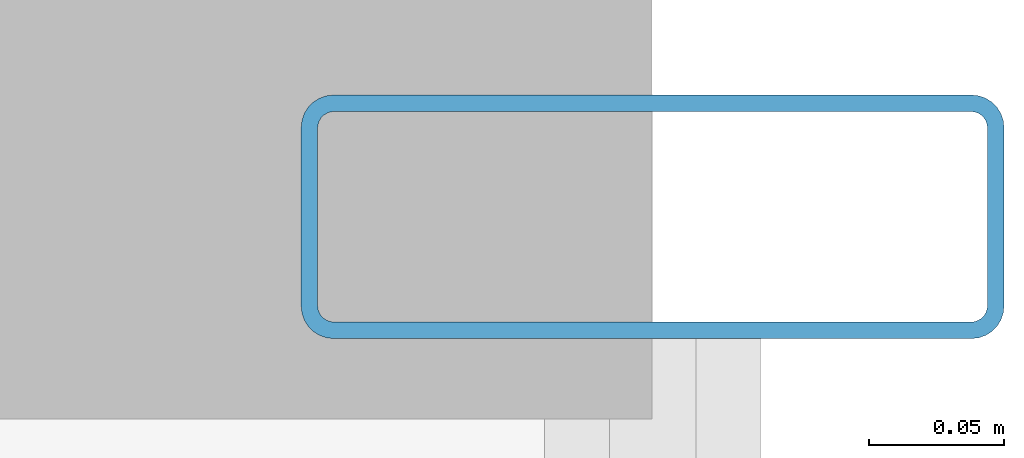
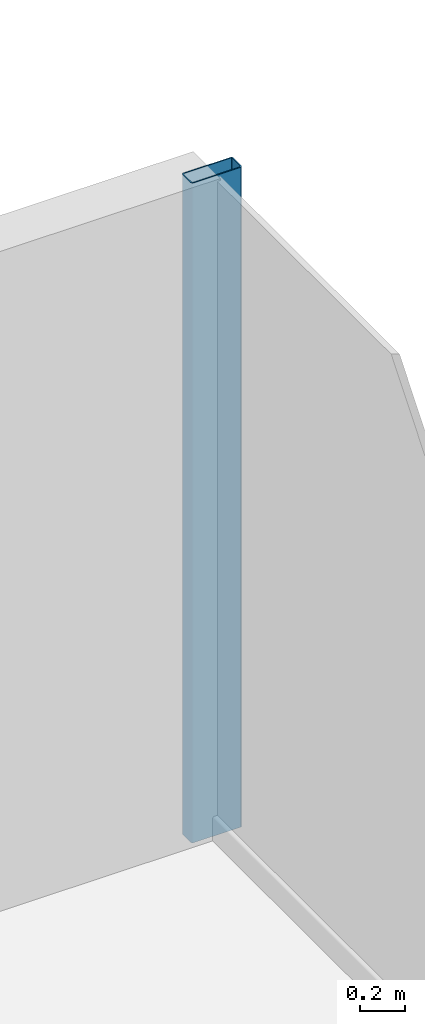
# One storey, part 18 of 25: 1 member, 1 element without a shape of its own.
"""IFC4 building model written with IfcOpenShell, lengths in metres."""

from ifc_helpers import new_model, si_unit, direction, frame, origin, origin_2d, place, context, subcontext, project, spatial, hollow_rectangle, extrude, source, transform, mapped, material, layer, layer_set, material_profile, profile_set, type_object, element, aggregate, save


model = new_model("IFC4")

# Units and contexts
model_context = context("Model", 3, precision=1e-05, world=origin(), true_north=direction((0.0, 1.0)))
body_context = subcontext(model_context, "Body", "Model", "MODEL_VIEW")
ifc_project = project(units=[si_unit("LENGTHUNIT", "METRE"), si_unit("AREAUNIT", "SQUARE_METRE"), si_unit("VOLUMEUNIT", "CUBIC_METRE"), si_unit("PLANEANGLEUNIT", "RADIAN"), si_unit("MASSUNIT", "GRAM", prefix="KILO")], contexts=[model_context])

# Site, building, storey
site_placement = place(None, origin())
site = spatial("IfcSite", under=ifc_project, at=site_placement, CompositionType="ELEMENT")
building_placement = place(site_placement, origin())
building = spatial("IfcBuilding", under=site, at=building_placement, Name="Nefas-Gora Pilgrimage Tower", CompositionType="ELEMENT")
storey_placement = place(building_placement, frame((0.0, 0.0, 98.39990234375)))
storey = spatial("IfcBuildingStorey", under=building, at=storey_placement, Name="L23", CompositionType="ELEMENT", Elevation=98.39990234375)

# Curtain wall, member
ifc_material_1 = material(Name="Dark ceramic-fritted solar-control aluminium-glass curtain wall", Category="aluminium")
ifc_layer = layer(ifc_material_1, 0.219970703125)
ifc_layer_set = layer_set([ifc_layer], Name="Dark ceramic-fritted solar-control aluminium-glass curtain wall")
curtain_wall_type = type_object("IfcCurtainWallType", Name="CW-SYS-2", PredefinedType="NOTDEFINED", material=ifc_layer_set)
curtain_wall_placement = place(storey_placement, origin())
curtain_wall = element("IfcCurtainWall", 1, at=curtain_wall_placement, inside=storey, type_object=curtain_wall_type, Name="L23 Unitised Curtain Wall CW2", PredefinedType="NOTDEFINED")
ifc_material_2 = material(Name="Anodised architectural aluminium", Category="aluminium")
ifc_material_profile = material_profile(ifc_material_2, hollow_rectangle(XDim=0.090087890625, YDim=0.260009765625, WallThickness=0.006103515625, InnerFilletRadius=0.006103515625, OuterFilletRadius=0.011962890625, at=origin_2d()), Name="ALU MULLION 90x260")
ifc_profile_set = profile_set([ifc_material_profile], Name="Anodised architectural aluminium")
member_type = type_object("IfcMemberType", Name="CWM-MUL-2", PredefinedType="MULLION", material=ifc_profile_set)
shared_shape = source(origin(), body_context, "Body", "SweptSolid", [
    extrude(hollow_rectangle(XDim=0.090087890625, YDim=0.260009765625, WallThickness=0.006103515625, InnerFilletRadius=0.006103515625, OuterFilletRadius=0.011962890625, at=origin_2d()), origin(), (0.0, 0.0, 1.0), 3.550048828125),
])
member_placement = place(storey_placement, frame((34.27001953125, 17.574951171875, 0.0), z_axis=(0.0, 0.0, 1.0), x_axis=(0.0, 1.0, 0.0)))
member = element("IfcMember", 2, at=member_placement, type_object=member_type, Name="CW2 Mullion 2", PredefinedType="MULLION", context=body_context, shape_type="MappedRepresentation", body=[
    mapped(shared_shape, transform((0.0, 0.0, 0.0), x_axis=(1.0, 0.0, 0.0), y_axis=(0.0, 1.0, 0.0), z_axis=(0.0, 0.0, 1.0), scale=1.0)),
])
aggregate(curtain_wall, [member])

save(model, "model.ifc")
